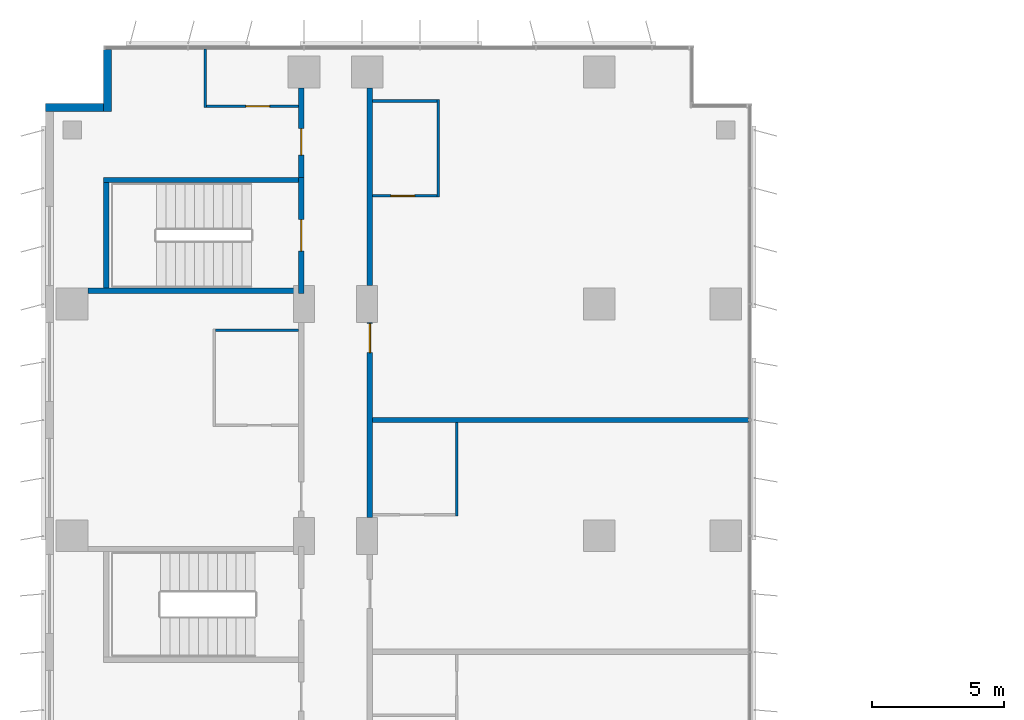
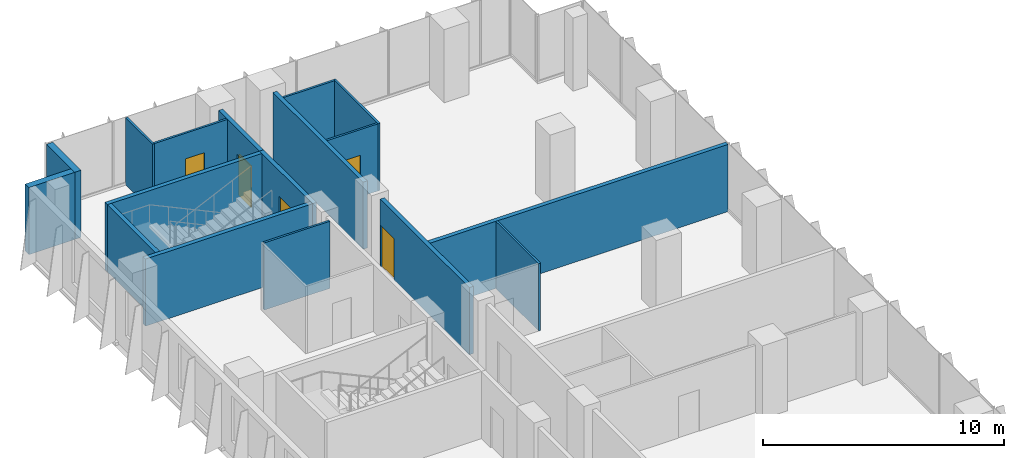
# One storey, part 17 of 22: 17 walls, 5 doors, 5 openings.
"""IFC4 building model written with IfcOpenShell, lengths in metres."""

from ifc_helpers import new_model, si_unit, direction, frame, frame_2d, origin, place, context, subcontext, project, spatial, rectangle, extrude, material, layer, layer_set, type_object, element, fill, save


model = new_model("IFC4")

# Units and contexts
model_context = context("Model", 3, precision=1e-05, world=origin(), true_north=direction((0.0, 1.0)))
body_context = subcontext(model_context, "Body", "Model", "MODEL_VIEW")
ifc_project = project(units=[si_unit("LENGTHUNIT", "METRE"), si_unit("AREAUNIT", "SQUARE_METRE"), si_unit("VOLUMEUNIT", "CUBIC_METRE"), si_unit("PLANEANGLEUNIT", "RADIAN"), si_unit("MASSUNIT", "GRAM", prefix="KILO")], contexts=[model_context])

# Site, building, storey
site_placement = place(None, origin())
site = spatial("IfcSite", under=ifc_project, at=site_placement, CompositionType="ELEMENT")
building_placement = place(site_placement, origin())
building = spatial("IfcBuilding", under=site, at=building_placement, Name="Kemantara Hotel Tower", CompositionType="ELEMENT")
storey_placement = place(building_placement, frame((0.0, 0.0, 122.199951171875)))
storey = spatial("IfcBuildingStorey", under=building, at=storey_placement, Name="L29", CompositionType="ELEMENT", Elevation=122.199951171875)

# Walls
ifc_material_1 = material(Name="Bronze anodised aluminium cladding on insulated steel stud wall", Category="steel")
ifc_layer_1 = layer(ifc_material_1, 0.300048828125)
ifc_layer_set_1 = layer_set([ifc_layer_1], Name="Bronze anodised aluminium cladding on insulated steel stud wall")
wall_type_1 = type_object("IfcWallType", Name="BRONZE METAL-CLAD EXTERNAL WALL 300", PredefinedType="STANDARD", material=ifc_layer_set_1)
wall_1_placement = place(storey_placement, frame((2.35009765625, 81.050048828125, 0.0), z_axis=(0.0, 0.0, 1.0), x_axis=(0.0, -1.0, 0.0)))
element("IfcWall", 1, at=wall_1_placement, inside=storey, type_object=wall_type_1, Name="EXTERNAL WALL L29 T2-R02", PredefinedType="STANDARD", context=body_context, shape_type="SweptSolid", body=[
    extrude(rectangle(XDim=2.35009765625, YDim=0.300048828125, at=frame_2d((1.175048828125, 0.0))), origin(), (0.0, 0.0, 1.0), 3.400146484375),
])
wall_2_placement = place(storey_placement, frame((2.199951171875, 78.85009765625, 0.0), z_axis=(0.0, 0.0, 1.0), x_axis=(-1.0, 0.0, 0.0)))
element("IfcWall", 2, at=wall_2_placement, inside=storey, type_object=wall_type_1, Name="EXTERNAL WALL L29 T2-R03", PredefinedType="STANDARD", context=body_context, shape_type="SweptSolid", body=[
    extrude(rectangle(XDim=2.199951171875, YDim=0.300048828125, at=frame_2d((1.10009765625, 0.0))), origin(), (0.0, 0.0, 1.0), 3.400146484375),
])

# Wall, opening, door
ifc_material_2 = material(Name="Gypsum board partition, steel studs and mineral wool, 200 mm", Category="steel")
ifc_layer_2 = layer(ifc_material_2, 0.199951171875)
ifc_layer_set_2 = layer_set([ifc_layer_2], Name="Gypsum board partition, steel studs and mineral wool, 200 mm")
wall_type_2 = type_object("IfcWallType", Name="CORRIDOR WALL 200", PredefinedType="PARTITIONING", material=ifc_layer_set_2)
wall_3_placement = place(storey_placement, frame((9.699951171875, 76.199951171875, 0.0), z_axis=(0.0, 0.0, 1.0), x_axis=(0.0, 1.0, 0.0)))
wall_3 = element("IfcWall", 3, at=wall_3_placement, inside=storey, type_object=wall_type_2, Name="CORRIDOR WALL 200 022", PredefinedType="PARTITIONING", context=body_context, shape_type="SweptSolid", body=[
    extrude(rectangle(XDim=3.39990234375, YDim=0.199951171875, at=frame_2d((1.699951171875, 0.0))), origin(), (0.0, 0.0, 1.0), 3.400146484375),
])
opening_1_placement = place(wall_3_placement, frame((0.85009765625, 0.0, 0.0)))
opening_1 = element("IfcOpeningElement", 4, at=opening_1_placement, cuts=wall_3, Name="Opening F13-028", PredefinedType="OPENING", context=body_context, shape_type="SweptSolid", body=[
    extrude(rectangle(XDim=1.0, YDim=2.10009765625, at=frame_2d((0.5, 1.050048828125))), frame((0.0, 0.10986328125, 0.0), z_axis=(0.0, -1.0, 0.0), x_axis=(1.0, 0.0, 0.0)), (0.0, 0.0, 1.0), 0.219970703125),
])
ifc_material_3 = material(Name="Hardwood veneer door leaf with steel frame", Category="steel")
door_type_1 = type_object("IfcDoorType", Name="GUEST ROOM DOOR 1000 X 2100 FD30S", OperationType="NOTDEFINED", PredefinedType="DOOR", material=ifc_material_3)
door_1_placement = place(opening_1_placement, origin())
door_1 = element("IfcDoor", 5, at=door_1_placement, inside=storey, type_object=door_type_1, Name="GUEST ROOM DOOR F13-028", OperationType="SINGLE_SWING_LEFT", OverallHeight=2.10009765625, OverallWidth=1.0, PredefinedType="DOOR", context=body_context, shape_type="SweptSolid", body=[
    extrude(rectangle(XDim=1.0, YDim=2.10009765625, at=frame_2d((0.5, 1.050048828125))), frame((0.0, 0.02490234375, 0.0), z_axis=(0.0, -1.0, 0.0), x_axis=(1.0, 0.0, 0.0)), (0.0, 0.0, 1.0), 0.050048828125),
])
fill(opening_1, door_1)

wall_4_placement = place(storey_placement, frame((12.300048828125, 70.699951171875, 0.0), z_axis=(0.0, 0.0, 1.0), x_axis=(0.0, -1.0, 0.0)))
wall_4 = element("IfcWall", 6, at=wall_4_placement, inside=storey, type_object=wall_type_2, Name="CORRIDOR WALL 200 034", PredefinedType="PARTITIONING", context=body_context, shape_type="SweptSolid", body=[
    extrude(rectangle(XDim=7.39990234375, YDim=0.199951171875, at=frame_2d((3.699951171875, 0.0))), origin(), (0.0, 0.0, 1.0), 3.400146484375),
])
opening_2_placement = place(wall_4_placement, frame((0.0498046875, 0.0, 0.0)))
opening_2 = element("IfcOpeningElement", 7, at=opening_2_placement, cuts=wall_4, Name="Opening F13-042", PredefinedType="OPENING", context=body_context, shape_type="SweptSolid", body=[
    extrude(rectangle(XDim=1.10009765625, YDim=2.10009765625, at=frame_2d((0.550048828125, 1.050048828125))), frame((0.0, 0.10986328125, 0.0), z_axis=(0.0, -1.0, 0.0), x_axis=(1.0, 0.0, 0.0)), (0.0, 0.0, 1.0), 0.219970703125),
])
door_type_2 = type_object("IfcDoorType", Name="SUITE ENTRANCE DOOR 1100 X 2100 FD30S", OperationType="NOTDEFINED", PredefinedType="DOOR", material=ifc_material_3)
door_2_placement = place(opening_2_placement, origin())
door_2 = element("IfcDoor", 8, at=door_2_placement, inside=storey, type_object=door_type_2, Name="SUITE ENTRANCE DOOR F13-042", OperationType="SINGLE_SWING_RIGHT", OverallHeight=2.10009765625, OverallWidth=1.10009765625, PredefinedType="DOOR", context=body_context, shape_type="SweptSolid", body=[
    extrude(rectangle(XDim=1.10009765625, YDim=2.10009765625, at=frame_2d((0.550048828125, 1.050048828125))), frame((0.0, 0.02490234375, 0.0), z_axis=(0.0, -1.0, 0.0), x_axis=(1.0, 0.0, 0.0)), (0.0, 0.0, 1.0), 0.050048828125),
])
fill(opening_2, door_2)

# Wall
wall_5_placement = place(storey_placement, frame((12.300048828125, 72.10009765625, 0.0), z_axis=(0.0, 0.0, 1.0), x_axis=(0.0, 1.0, 0.0)))
element("IfcWall", 9, at=wall_5_placement, inside=storey, type_object=wall_type_2, Name="CORRIDOR WALL 200 035", PredefinedType="PARTITIONING", context=body_context, shape_type="SweptSolid", body=[
    extrude(rectangle(XDim=7.499755859375, YDim=0.199951171875, at=frame_2d((3.75, 0.0))), origin(), (0.0, 0.0, 1.0), 3.400146484375),
])

# Wall, opening, door
ifc_material_4 = material(Name="Concrete fc 40 MPa", Category="concrete")
ifc_layer_3 = layer(ifc_material_4, 0.199951171875)
ifc_layer_set_3 = layer_set([ifc_layer_3], Name="Concrete fc 40 MPa")
wall_type_3 = type_object("IfcWallType", Name="Concrete stair wall 200 mm", PredefinedType="SHEAR", material=ifc_layer_set_3)
wall_6_placement = place(storey_placement, frame((9.699951171875, 71.800048828125, 0.0), z_axis=(0.0, 0.0, 1.0), x_axis=(0.0, 1.0, 0.0)))
wall_6 = element("IfcWall", 10, at=wall_6_placement, inside=storey, type_object=wall_type_3, Name="Stair ST6 enclosure wall with door", PredefinedType="SHEAR", context=body_context, shape_type="SweptSolid", body=[
    extrude(rectangle(XDim=4.39990234375, YDim=0.199951171875, at=frame_2d((2.199951171875, 0.0))), origin(), (0.0, 0.0, 1.0), 3.400146484375),
])
opening_3_placement = place(wall_6_placement, frame((1.60009765625, 0.0, 0.0)))
opening_3 = element("IfcOpeningElement", 11, at=opening_3_placement, cuts=wall_6, Name="Opening ST6-C", PredefinedType="OPENING", context=body_context, shape_type="SweptSolid", body=[
    extrude(rectangle(XDim=1.199951171875, YDim=2.10009765625, at=frame_2d((0.60009765625, 1.050048828125))), frame((0.0, 0.10986328125, 0.0), z_axis=(0.0, -1.0, 0.0), x_axis=(1.0, 0.0, 0.0)), (0.0, 0.0, 1.0), 0.219970703125),
])
ifc_material_5 = material(Name="Steel fire door", Category="steel")
door_type_3 = type_object("IfcDoorType", Name="Fire door FD90 1200 x 2100", OperationType="NOTDEFINED", PredefinedType="DOOR", material=ifc_material_5)
door_3_placement = place(opening_3_placement, origin())
door_3 = element("IfcDoor", 12, at=door_3_placement, inside=storey, type_object=door_type_3, Name="Stair ST6 door", OperationType="SINGLE_SWING_RIGHT", OverallHeight=2.10009765625, OverallWidth=1.199951171875, PredefinedType="DOOR", context=body_context, shape_type="SweptSolid", body=[
    extrude(rectangle(XDim=1.199951171875, YDim=2.10009765625, at=frame_2d((0.60009765625, 1.050048828125))), frame((0.0, 0.02490234375, 0.0), z_axis=(0.0, -1.0, 0.0), x_axis=(1.0, 0.0, 0.0)), (0.0, 0.0, 1.0), 0.050048828125),
])
fill(opening_3, door_3)

# Walls
wall_7_placement = place(storey_placement, frame((2.199951171875, 76.10009765625, 0.0), z_axis=(0.0, 0.0, 1.0), x_axis=(1.0, 0.0, 0.0)))
element("IfcWall", 13, at=wall_7_placement, inside=storey, type_object=wall_type_3, Name="Stair ST6 enclosure wall N", PredefinedType="SHEAR", context=body_context, shape_type="SweptSolid", body=[
    extrude(rectangle(XDim=7.400146484375, YDim=0.199951171875, at=frame_2d((3.7001953125, 0.0))), origin(), (0.0, 0.0, 1.0), 3.400146484375),
])
wall_8_placement = place(storey_placement, frame((1.60009765625, 71.89990234375, 0.0), z_axis=(0.0, 0.0, 1.0), x_axis=(1.0, 0.0, 0.0)))
element("IfcWall", 14, at=wall_8_placement, inside=storey, type_object=wall_type_3, Name="Stair ST6 enclosure wall S", PredefinedType="SHEAR", context=body_context, shape_type="SweptSolid", body=[
    extrude(rectangle(XDim=8.0, YDim=0.199951171875, at=frame_2d((4.0, 0.0))), origin(), (0.0, 0.0, 1.0), 3.400146484375),
])
wall_9_placement = place(storey_placement, frame((2.300048828125, 72.0, 0.0), z_axis=(0.0, 0.0, 1.0), x_axis=(0.0, 1.0, 0.0)))
element("IfcWall", 15, at=wall_9_placement, inside=storey, type_object=wall_type_3, Name="Stair ST6 enclosure wall W", PredefinedType="SHEAR", context=body_context, shape_type="SweptSolid", body=[
    extrude(rectangle(XDim=4.0, YDim=0.199951171875, at=frame_2d((2.0, 0.0))), origin(), (0.0, 0.0, 1.0), 3.400146484375),
])
ifc_layer_4 = layer(ifc_material_2, 0.199951171875)
ifc_layer_set_4 = layer_set([ifc_layer_4], Name="Gypsum board partition, steel studs and mineral wool, 200 mm")
wall_type_4 = type_object("IfcWallType", Name="GUEST ROOM PARTY WALL 200", PredefinedType="PARTITIONING", material=ifc_layer_set_4)
wall_10_placement = place(storey_placement, frame((12.39990234375, 67.0, 0.0), z_axis=(0.0, 0.0, 1.0), x_axis=(1.0, 0.0, 0.0)))
element("IfcWall", 16, at=wall_10_placement, inside=storey, type_object=wall_type_4, Name="GUEST ROOM PARTY WALL 200 040", PredefinedType="PARTITIONING", context=body_context, shape_type="SweptSolid", body=[
    extrude(rectangle(XDim=14.27001953125, YDim=0.199951171875, at=frame_2d((7.135009765625, 0.0))), origin(), (0.0, 0.0, 1.0), 3.400146484375),
])
ifc_material_6 = material(Name="Gypsum board partition on steel studs, 100 mm", Category="steel")
ifc_layer_5 = layer(ifc_material_6, 0.10009765625)
ifc_layer_set_5 = layer_set([ifc_layer_5], Name="Gypsum board partition on steel studs, 100 mm")
wall_type_5 = type_object("IfcWallType", Name="ROOM PARTITION 100", PredefinedType="PARTITIONING", material=ifc_layer_set_5)
wall_11_placement = place(storey_placement, frame((6.050048828125, 78.85009765625, 0.0), z_axis=(0.0, 0.0, 1.0), x_axis=(0.0, 1.0, 0.0)))
element("IfcWall", 17, at=wall_11_placement, inside=storey, type_object=wall_type_5, Name="ROOM PARTITION 100 056", PredefinedType="PARTITIONING", context=body_context, shape_type="SweptSolid", body=[
    extrude(rectangle(XDim=2.219970703125, YDim=0.10009765625, at=frame_2d((1.10986328125, 0.0))), origin(), (0.0, 0.0, 1.0), 3.400146484375),
])
wall_12_placement = place(storey_placement, frame((6.449951171875, 70.39990234375, 0.0), z_axis=(0.0, 0.0, 1.0), x_axis=(1.0, 0.0, 0.0)))
element("IfcWall", 18, at=wall_12_placement, inside=storey, type_object=wall_type_5, Name="ROOM PARTITION 100 072", PredefinedType="PARTITIONING", context=body_context, shape_type="SweptSolid", body=[
    extrude(rectangle(XDim=3.150146484375, YDim=0.10009765625, at=frame_2d((1.5751953125, 0.0))), origin(), (0.0, 0.0, 1.0), 3.400146484375),
])

# Wall, opening, door
wall_13_placement = place(storey_placement, frame((6.10009765625, 78.89990234375, 0.0), z_axis=(0.0, 0.0, 1.0), x_axis=(1.0, 0.0, 0.0)))
wall_13 = element("IfcWall", 19, at=wall_13_placement, inside=storey, type_object=wall_type_5, Name="ROOM PARTITION 100 073", PredefinedType="PARTITIONING", context=body_context, shape_type="SweptSolid", body=[
    extrude(rectangle(XDim=3.5, YDim=0.10009765625, at=frame_2d((1.75, 0.0))), origin(), (0.0, 0.0, 1.0), 3.400146484375),
])
opening_4_placement = place(wall_13_placement, frame((1.5, 0.0, 0.0)))
opening_4 = element("IfcOpeningElement", 20, at=opening_4_placement, cuts=wall_13, Name="Opening F13-029", PredefinedType="OPENING", context=body_context, shape_type="SweptSolid", body=[
    extrude(rectangle(XDim=0.89990234375, YDim=2.10009765625, at=frame_2d((0.449951171875, 1.050048828125))), frame((0.0, 0.06005859375, 0.0), z_axis=(0.0, -1.0, 0.0), x_axis=(1.0, 0.0, 0.0)), (0.0, 0.0, 1.0), 0.1201171875),
])
door_type_4 = type_object("IfcDoorType", Name="BATHROOM DOOR 900 X 2100", OperationType="NOTDEFINED", PredefinedType="DOOR", material=ifc_material_3)
door_4_placement = place(opening_4_placement, origin())
door_4 = element("IfcDoor", 21, at=door_4_placement, inside=storey, type_object=door_type_4, Name="BATHROOM DOOR F13-029", OperationType="SINGLE_SWING_RIGHT", OverallHeight=2.10009765625, OverallWidth=0.89990234375, PredefinedType="DOOR", context=body_context, shape_type="SweptSolid", body=[
    extrude(rectangle(XDim=0.89990234375, YDim=2.10009765625, at=frame_2d((0.449951171875, 1.050048828125))), frame((0.0, 0.02490234375, 0.0), z_axis=(0.0, -1.0, 0.0), x_axis=(1.0, 0.0, 0.0)), (0.0, 0.0, 1.0), 0.050048828125),
])
fill(opening_4, door_4)

# Walls
wall_14_placement = place(storey_placement, frame((15.60009765625, 63.35009765625, 0.0), z_axis=(0.0, 0.0, 1.0), x_axis=(0.0, 1.0, 0.0)))
element("IfcWall", 22, at=wall_14_placement, inside=storey, type_object=wall_type_5, Name="ROOM PARTITION 100 078", PredefinedType="PARTITIONING", context=body_context, shape_type="SweptSolid", body=[
    extrude(rectangle(XDim=3.5498046875, YDim=0.10009765625, at=frame_2d((1.77490234375, 0.0))), origin(), (0.0, 0.0, 1.0), 3.400146484375),
])
wall_15_placement = place(storey_placement, frame((14.89990234375, 75.449951171875, 0.0), z_axis=(0.0, 0.0, 1.0), x_axis=(0.0, 1.0, 0.0)))
element("IfcWall", 23, at=wall_15_placement, inside=storey, type_object=wall_type_5, Name="ROOM PARTITION 100 084", PredefinedType="PARTITIONING", context=body_context, shape_type="SweptSolid", body=[
    extrude(rectangle(XDim=3.699951171875, YDim=0.10009765625, at=frame_2d((1.85009765625, 0.0))), origin(), (0.0, 0.0, 1.0), 3.400146484375),
])

# Wall, opening, door
wall_16_placement = place(storey_placement, frame((12.39990234375, 75.5, 0.0), z_axis=(0.0, 0.0, 1.0), x_axis=(1.0, 0.0, 0.0)))
wall_16 = element("IfcWall", 24, at=wall_16_placement, inside=storey, type_object=wall_type_5, Name="ROOM PARTITION 100 085", PredefinedType="PARTITIONING", context=body_context, shape_type="SweptSolid", body=[
    extrude(rectangle(XDim=2.4501953125, YDim=0.10009765625, at=frame_2d((1.22509765625, 0.0))), origin(), (0.0, 0.0, 1.0), 3.400146484375),
])
opening_5_placement = place(wall_16_placement, frame((0.699951171875, 0.0, 0.0)))
opening_5 = element("IfcOpeningElement", 25, at=opening_5_placement, cuts=wall_16, Name="Opening F13-043", PredefinedType="OPENING", context=body_context, shape_type="SweptSolid", body=[
    extrude(rectangle(XDim=0.89990234375, YDim=2.10009765625, at=frame_2d((0.449951171875, 1.050048828125))), frame((0.0, 0.06005859375, 0.0), z_axis=(0.0, -1.0, 0.0), x_axis=(1.0, 0.0, 0.0)), (0.0, 0.0, 1.0), 0.1201171875),
])
door_5_placement = place(opening_5_placement, origin())
door_5 = element("IfcDoor", 26, at=door_5_placement, inside=storey, type_object=door_type_4, Name="BATHROOM DOOR F13-043", OperationType="SINGLE_SWING_LEFT", OverallHeight=2.10009765625, OverallWidth=0.89990234375, PredefinedType="DOOR", context=body_context, shape_type="SweptSolid", body=[
    extrude(rectangle(XDim=0.89990234375, YDim=2.10009765625, at=frame_2d((0.449951171875, 1.050048828125))), frame((0.0, 0.02490234375, 0.0), z_axis=(0.0, -1.0, 0.0), x_axis=(1.0, 0.0, 0.0)), (0.0, 0.0, 1.0), 0.050048828125),
])
fill(opening_5, door_5)

# Wall
wall_17_placement = place(storey_placement, frame((12.39990234375, 79.10009765625, 0.0), z_axis=(0.0, 0.0, 1.0), x_axis=(1.0, 0.0, 0.0)))
element("IfcWall", 27, at=wall_17_placement, inside=storey, type_object=wall_type_5, Name="ROOM PARTITION 100 086", PredefinedType="PARTITIONING", context=body_context, shape_type="SweptSolid", body=[
    extrude(rectangle(XDim=2.4501953125, YDim=0.10009765625, at=frame_2d((1.22509765625, 0.0))), origin(), (0.0, 0.0, 1.0), 3.400146484375),
])

save(model, "model.ifc")
